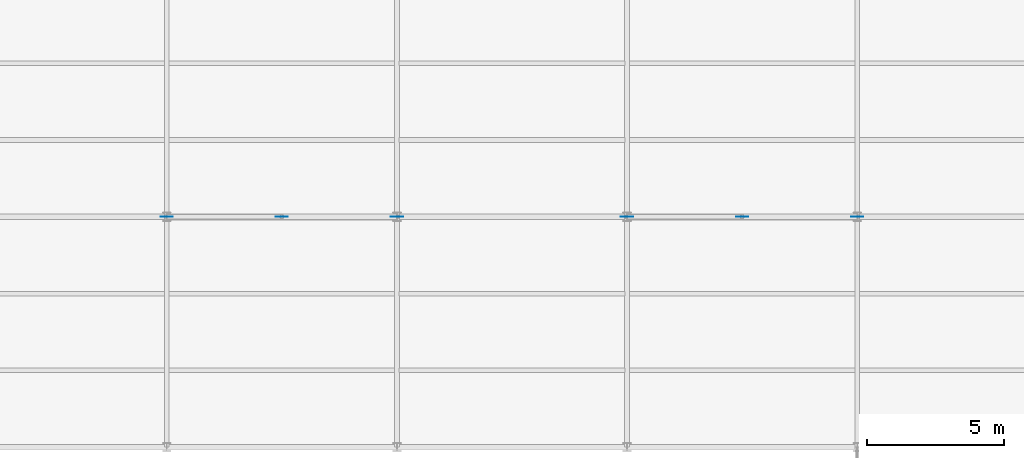
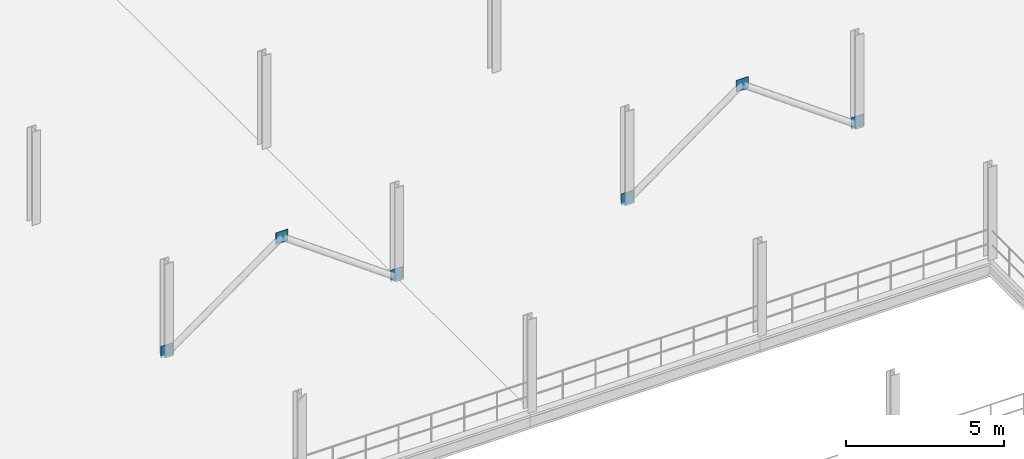
# One storey, part 36 of 47: 6 plates.
"""IFC4 building model written with IfcOpenShell, lengths in metres."""

from ifc_helpers import new_model, si_unit, direction, frame, origin, origin_2d, place, context, subcontext, project, spatial, rectangle, extrude, material, layer, layer_set, type_object, element, save


model = new_model("IFC4")

# Units and contexts
model_context = context("Model", 3, precision=1e-05, world=origin(), true_north=direction((0.0, 1.0)))
body_context = subcontext(model_context, "Body", "Model", "MODEL_VIEW")
ifc_project = project(units=[si_unit("LENGTHUNIT", "METRE"), si_unit("AREAUNIT", "SQUARE_METRE"), si_unit("VOLUMEUNIT", "CUBIC_METRE"), si_unit("PLANEANGLEUNIT", "RADIAN"), si_unit("MASSUNIT", "GRAM", prefix="KILO"), si_unit("THERMODYNAMICTEMPERATUREUNIT", "KELVIN"), si_unit("POWERUNIT", "WATT")], contexts=[model_context])

# Site, building, storey
site_placement = place(None, origin())
site = spatial("IfcSite", under=ifc_project, at=site_placement, CompositionType="ELEMENT")
building_placement = place(site_placement, origin())
building = spatial("IfcBuilding", under=site, at=building_placement, Name="Tembeka Court Mobility Hub", CompositionType="ELEMENT")
storey_placement = place(building_placement, frame((0.0, 0.0, 19.800048828125)))
storey = spatial("IfcBuildingStorey", under=building, at=storey_placement, Name="L05", CompositionType="ELEMENT", Elevation=19.800048828125)

# Plates
ifc_material = material(Name="Steel S355", Category="steel")
ifc_layer = layer(ifc_material, 0.011962890625)
ifc_layer_set = layer_set([ifc_layer], Name="Steel S355")
plate_type = type_object("IfcPlateType", Name="PL-NDP02", PredefinedType="USERDEFINED", material=ifc_layer_set)
for number, where, z_axis, x_axis, name in (
    (1, (33.60009765625, 72.0, -0.0849609375), (0.0, 0.0, 1.0), (1.0, 0.0, 0.0), "Chevron brace gusset plate NDP02 (L05-6-1)"),
    (2, (42.0, 72.0, -0.0849609375), (0.0, 0.0, 1.0), (1.0, 0.0, 0.0), "Chevron brace gusset plate NDP02 (L05-6-2)"),
    (3, (37.800048828125, 72.0, 2.8251953125), (0.0, 0.0, 1.0), (1.0, 0.0, 0.0), "Chevron brace gusset plate NDP02 (L05-6-3)"),
    (4, (50.39990234375, 72.0, -0.0849609375), (0.0, 0.0, 1.0), (1.0, 0.0, 0.0), "Chevron brace gusset plate NDP02 (L05-12-1)"),
    (5, (58.800048828125, 72.0, -0.0849609375), (0.0, 0.0, 1.0), (1.0, 0.0, 0.0), "Chevron brace gusset plate NDP02 (L05-12-2)"),
    (6, (54.60009765625, 72.0, 2.8251953125), (0.0, 0.0, 1.0), (1.0, 0.0, 0.0), "Chevron brace gusset plate NDP02 (L05-12-3)"),
):
    element("IfcPlate", number, at=place(storey_placement, frame(where, z_axis=z_axis, x_axis=x_axis)), inside=storey, type_object=plate_type, Name=name, ObjectType="GUSSET PLATE", PredefinedType="USERDEFINED", context=body_context, shape_type="SweptSolid", body=[
        extrude(rectangle(XDim=0.449951171875, YDim=0.011962890625, at=origin_2d()), origin(), (0.0, 0.0, 1.0), 0.449951171875),
    ])

save(model, "model.ifc")
